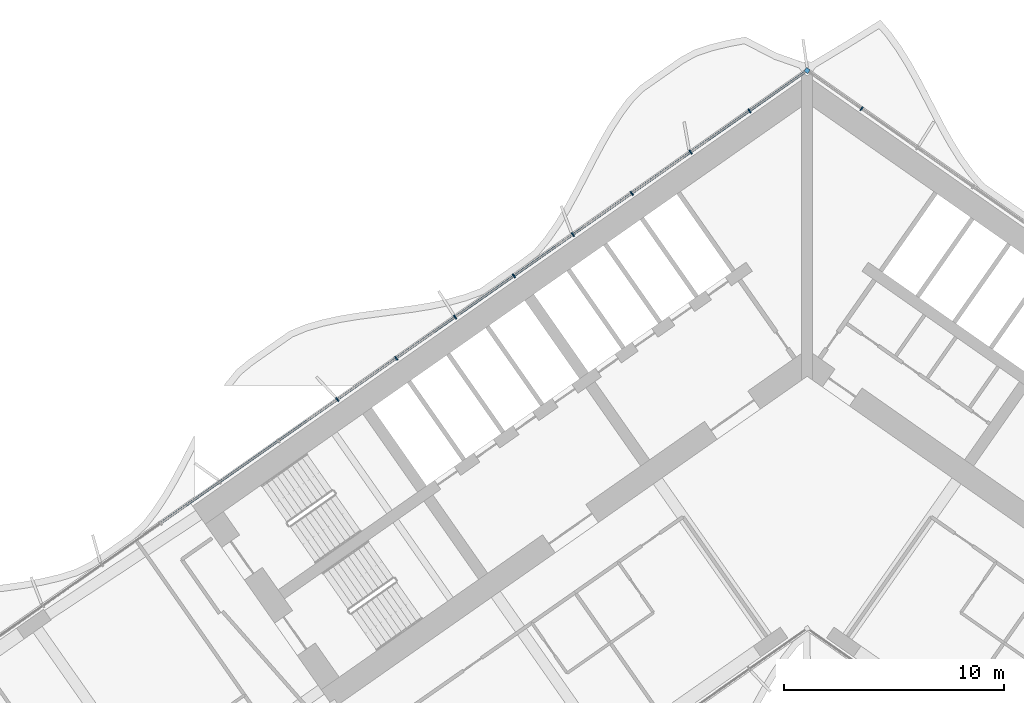
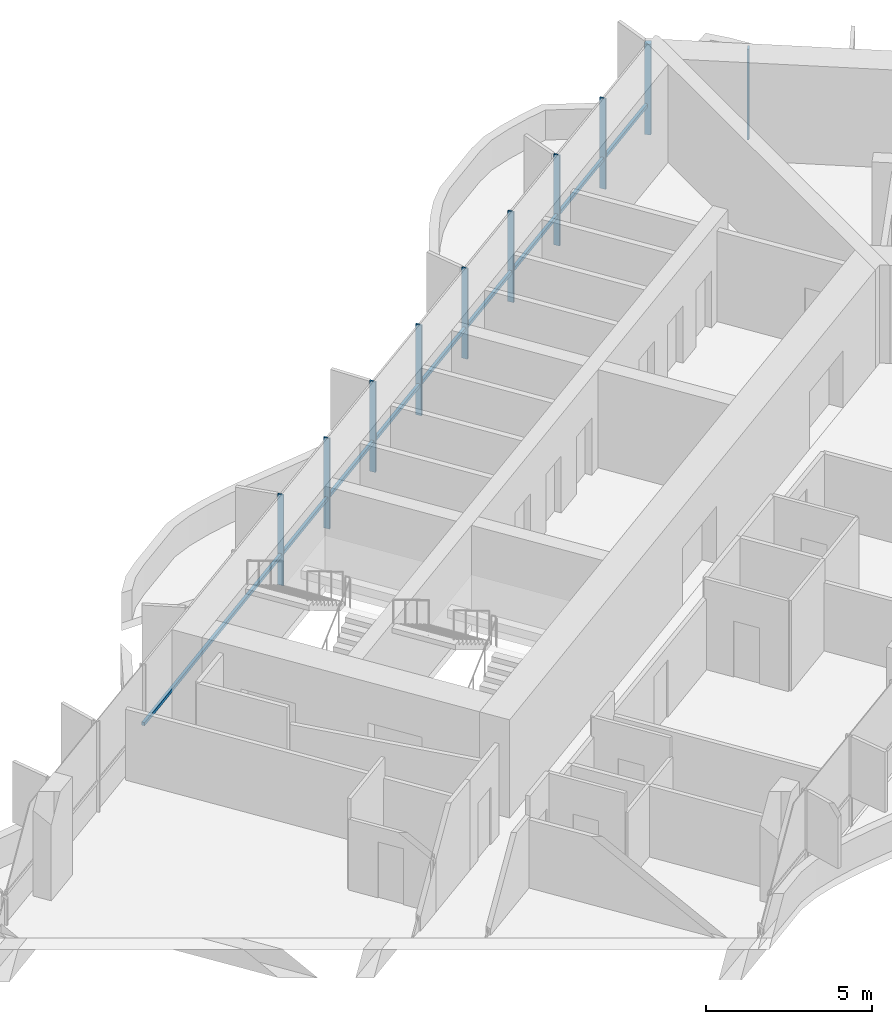
# One storey, part 7 of 23: 11 members, 1 element without a shape of its own.
"""IFC4 building model written with IfcOpenShell, lengths in metres."""

from ifc_helpers import new_model, si_unit, direction, frame, origin, origin_2d, place, context, subcontext, project, spatial, rectangle, extrude, material, material_profile, profile_set, type_object, element, aggregate, save


model = new_model("IFC4")

# Units and contexts
model_context = context("Model", 3, precision=1e-05, world=origin(), true_north=direction((0.0, 1.0)))
body_context = subcontext(model_context, "Body", "Model", "MODEL_VIEW")
ifc_project = project(units=[si_unit("LENGTHUNIT", "METRE"), si_unit("AREAUNIT", "SQUARE_METRE"), si_unit("VOLUMEUNIT", "CUBIC_METRE"), si_unit("PLANEANGLEUNIT", "RADIAN"), si_unit("MASSUNIT", "GRAM", prefix="KILO")], contexts=[model_context])

# Site, building, storey
site_placement = place(None, origin())
site = spatial("IfcSite", under=ifc_project, at=site_placement, CompositionType="ELEMENT")
building_placement = place(site_placement, origin())
building = spatial("IfcBuilding", under=site, at=building_placement, Name="Tel Ilan Convention Tower", CompositionType="ELEMENT")
storey_placement = place(building_placement, frame((0.0, 0.0, 86.89990234375)))
storey = spatial("IfcBuildingStorey", under=building, at=storey_placement, Name="L17", CompositionType="ELEMENT", Elevation=86.89990234375)

# Curtain wall, members
ifc_material_1 = material(Name="Aluminium, bronze anodised", Category="aluminium")
curtain_wall_type = type_object("IfcCurtainWallType", Name="CW2 STICK CURTAIN WALL, SPANDREL PANELS", PredefinedType="NOTDEFINED", material=ifc_material_1)
curtain_wall_placement = place(storey_placement, origin())
curtain_wall = element("IfcCurtainWall", 1, at=curtain_wall_placement, inside=storey, type_object=curtain_wall_type, Name="Curtain wall CW2-15.01", PredefinedType="NOTDEFINED")
ifc_material_2 = material(Name="Aluminium, bronze anodised", Category="aluminium")
ifc_material_profile_1 = material_profile(ifc_material_2, rectangle(XDim=0.199951171875, YDim=0.199951171875, at=origin_2d()), Name="CW CORNER MULLION 200x200")
ifc_profile_set_1 = profile_set([ifc_material_profile_1], Name="Aluminium, bronze anodised")
member_type_1 = type_object("IfcMemberType", Name="CW CORNER MULLION 200x200", PredefinedType="MULLION", material=ifc_profile_set_1)
member_1_placement = place(storey_placement, frame((0.0, 12.696044921875, 0.0), z_axis=(0.0, 0.0, 1.0), x_axis=(-0.819152044289, 0.573576436351, 0.0)))
member_1 = element("IfcMember", 2, at=member_1_placement, type_object=member_type_1, Name="Corner mullion", PredefinedType="MULLION", context=body_context, shape_type="SweptSolid", body=[
    extrude(rectangle(XDim=0.199951171875, YDim=0.199951171875, at=origin_2d()), origin(), (0.0, 0.0, 1.0), 3.320068359375),
])
ifc_material_3 = material(Name="Aluminium, bronze anodised", Category="aluminium")
ifc_material_profile_2 = material_profile(ifc_material_3, rectangle(XDim=0.06005859375, YDim=0.199951171875, at=origin_2d()), Name="CW MULLION 60x200")
ifc_profile_set_2 = profile_set([ifc_material_profile_2], Name="Aluminium, bronze anodised")
member_type_2 = type_object("IfcMemberType", Name="CW MULLION 60x200", PredefinedType="MULLION", material=ifc_profile_set_2)
member_2_placement = place(storey_placement, frame((2.4794921875, 10.9599609375, 0.0), z_axis=(0.0, 0.0, 1.0), x_axis=(-0.819152044289, 0.573576436351, 0.0)))
member_2 = element("IfcMember", 3, at=member_2_placement, type_object=member_type_2, Name="Mullion", PredefinedType="MULLION", context=body_context, shape_type="SweptSolid", body=[
    extrude(rectangle(XDim=0.06005859375, YDim=0.199951171875, at=origin_2d()), origin(), (0.0, 0.0, 1.0), 3.320068359375),
])
member_3_placement = place(storey_placement, frame((-2.622802734375, 10.859375, 0.0), z_axis=(0.0, 0.0, 1.0), x_axis=(-0.819152044289, -0.573576436351, 0.0)))
member_3 = element("IfcMember", 4, at=member_3_placement, type_object=member_type_2, Name="Mullion", PredefinedType="MULLION", context=body_context, shape_type="SweptSolid", body=[
    extrude(rectangle(XDim=0.06005859375, YDim=0.199951171875, at=origin_2d()), origin(), (0.0, 0.0, 1.0), 3.320068359375),
])
member_4_placement = place(storey_placement, frame((-5.30322265625, 8.982666015625, 0.0), z_axis=(0.0, 0.0, 1.0), x_axis=(-0.819152044289, -0.573576436351, 0.0)))
member_4 = element("IfcMember", 5, at=member_4_placement, type_object=member_type_2, Name="Mullion", PredefinedType="MULLION", context=body_context, shape_type="SweptSolid", body=[
    extrude(rectangle(XDim=0.06005859375, YDim=0.199951171875, at=origin_2d()), origin(), (0.0, 0.0, 1.0), 3.320068359375),
])
member_5_placement = place(storey_placement, frame((-7.9833984375, 7.10595703125, 0.0), z_axis=(0.0, 0.0, 1.0), x_axis=(-0.819152044289, -0.573576436351, 0.0)))
member_5 = element("IfcMember", 6, at=member_5_placement, type_object=member_type_2, Name="Mullion", PredefinedType="MULLION", context=body_context, shape_type="SweptSolid", body=[
    extrude(rectangle(XDim=0.06005859375, YDim=0.199951171875, at=origin_2d()), origin(), (0.0, 0.0, 1.0), 3.320068359375),
])
member_6_placement = place(storey_placement, frame((-10.663818359375, 5.229248046875, 0.0), z_axis=(0.0, 0.0, 1.0), x_axis=(-0.819152044289, -0.573576436351, 0.0)))
member_6 = element("IfcMember", 7, at=member_6_placement, type_object=member_type_2, Name="Mullion", PredefinedType="MULLION", context=body_context, shape_type="SweptSolid", body=[
    extrude(rectangle(XDim=0.06005859375, YDim=0.199951171875, at=origin_2d()), origin(), (0.0, 0.0, 1.0), 3.320068359375),
])
member_7_placement = place(storey_placement, frame((-13.343994140625, 3.3525390625, 0.0), z_axis=(0.0, 0.0, 1.0), x_axis=(-0.819152044289, -0.573576436351, 0.0)))
member_7 = element("IfcMember", 8, at=member_7_placement, type_object=member_type_2, Name="Mullion", PredefinedType="MULLION", context=body_context, shape_type="SweptSolid", body=[
    extrude(rectangle(XDim=0.06005859375, YDim=0.199951171875, at=origin_2d()), origin(), (0.0, 0.0, 1.0), 3.320068359375),
])
member_8_placement = place(storey_placement, frame((-16.024169921875, 1.475830078125, 0.0), z_axis=(0.0, 0.0, 1.0), x_axis=(-0.819152044289, -0.573576436351, 0.0)))
member_8 = element("IfcMember", 9, at=member_8_placement, type_object=member_type_2, Name="Mullion", PredefinedType="MULLION", context=body_context, shape_type="SweptSolid", body=[
    extrude(rectangle(XDim=0.06005859375, YDim=0.199951171875, at=origin_2d()), origin(), (0.0, 0.0, 1.0), 3.320068359375),
])
member_9_placement = place(storey_placement, frame((-18.70458984375, -0.401123046875, 0.0), z_axis=(0.0, 0.0, 1.0), x_axis=(-0.819152044289, -0.573576436351, 0.0)))
member_9 = element("IfcMember", 10, at=member_9_placement, type_object=member_type_2, Name="Mullion", PredefinedType="MULLION", context=body_context, shape_type="SweptSolid", body=[
    extrude(rectangle(XDim=0.06005859375, YDim=0.199951171875, at=origin_2d()), origin(), (0.0, 0.0, 1.0), 3.320068359375),
])
member_10_placement = place(storey_placement, frame((-21.384765625, -2.27783203125, 0.0), z_axis=(0.0, 0.0, 1.0), x_axis=(-0.819152044289, -0.573576436351, 0.0)))
member_10 = element("IfcMember", 11, at=member_10_placement, type_object=member_type_2, Name="Mullion", PredefinedType="MULLION", context=body_context, shape_type="SweptSolid", body=[
    extrude(rectangle(XDim=0.06005859375, YDim=0.199951171875, at=origin_2d()), origin(), (0.0, 0.0, 1.0), 3.320068359375),
])
ifc_material_4 = material(Name="Aluminium, bronze anodised", Category="aluminium")
ifc_material_profile_3 = material_profile(ifc_material_4, rectangle(XDim=0.10009765625, YDim=0.1201171875, at=origin_2d()), Name="CW TRANSOM 100x120")
ifc_profile_set_3 = profile_set([ifc_material_profile_3], Name="Aluminium, bronze anodised")
member_type_3 = type_object("IfcMemberType", Name="CW TRANSOM 100x120", PredefinedType="USERDEFINED", material=ifc_profile_set_3)
member_11_placement = place(storey_placement, frame((-0.1064453125, 12.62158203125, 1.10009765625), z_axis=(-0.81915076999, -0.573578256234, 0.0), x_axis=(0.573578256234, -0.81915076999, 0.0)))
member_11 = element("IfcMember", 12, at=member_11_placement, type_object=member_type_3, Name="Transom", ObjectType="TRANSOM", PredefinedType="USERDEFINED", context=body_context, shape_type="SweptSolid", body=[
    extrude(rectangle(XDim=0.10009765625, YDim=0.1201171875, at=origin_2d()), origin(), (0.0, 0.0, 1.0), 35.76220703125),
])
aggregate(curtain_wall, [member_2, member_1, member_3, member_4, member_5, member_6, member_7, member_8, member_9, member_10, member_11])

save(model, "model.ifc")
